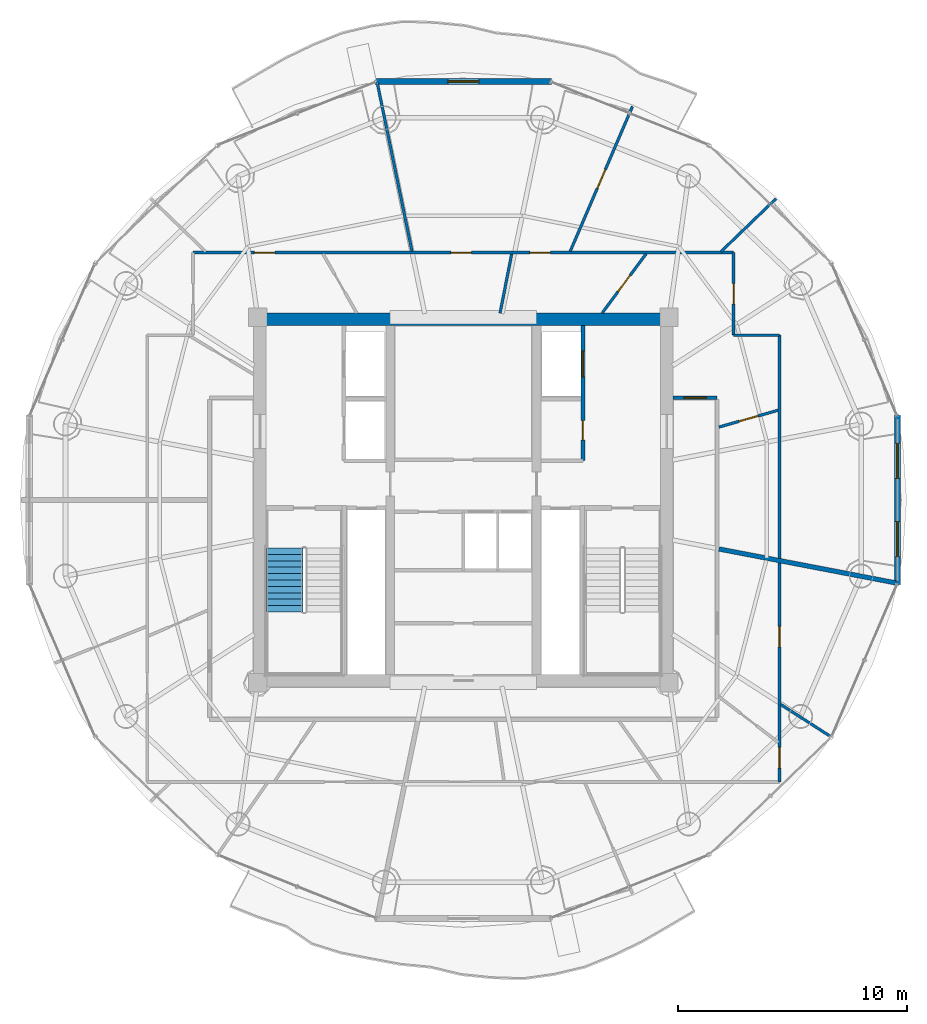
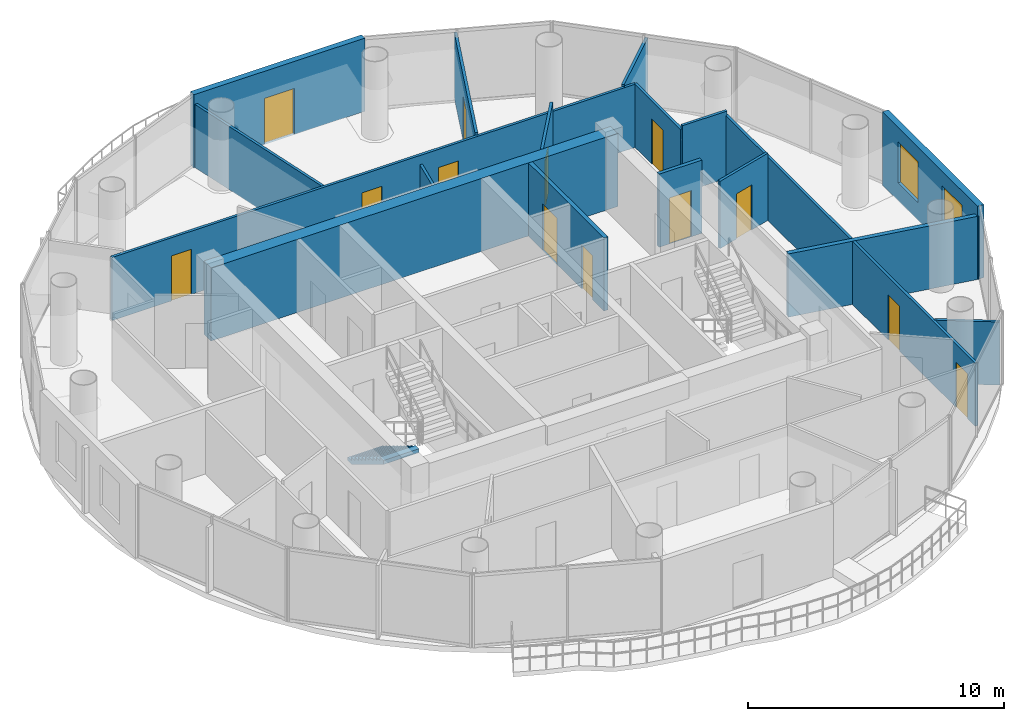
# One storey, part 19 of 23: 18 walls, 13 doors, 2 windows, 1 stair flight, 15 openings, 1 element without a shape of its own.
"""IFC4 building model written with IfcOpenShell, lengths in metres."""

from ifc_helpers import new_model, si_unit, direction, frame, frame_2d, origin, place, context, subcontext, project, spatial, polyline, rectangle, outline, extrude, source, transform, mapped, material, layer, layer_set, type_object, element, fill, aggregate, save


model = new_model("IFC4")

# Units and contexts
model_context = context("Model", 3, precision=1e-05, world=origin(), true_north=direction((-0.2419218956, 0.970295726276)))
body_context = subcontext(model_context, "Body", "Model", "MODEL_VIEW")
ifc_project = project(units=[si_unit("LENGTHUNIT", "METRE"), si_unit("AREAUNIT", "SQUARE_METRE"), si_unit("VOLUMEUNIT", "CUBIC_METRE"), si_unit("PLANEANGLEUNIT", "RADIAN"), si_unit("MASSUNIT", "GRAM", prefix="KILO")], contexts=[model_context])

# Site, building, storey
site_placement = place(None, origin())
site = spatial("IfcSite", under=ifc_project, at=site_placement, CompositionType="ELEMENT")
building_placement = place(site_placement, origin())
building = spatial("IfcBuilding", under=site, at=building_placement, Name="Cobrevalo Terracotta Tower", CompositionType="ELEMENT")
storey_placement = place(building_placement, frame((0.0, 0.0, 259.449951171875)))
storey = spatial("IfcBuildingStorey", under=building, at=storey_placement, Name="L68", CompositionType="ELEMENT", Elevation=259.449951171875)

# Wall
ifc_material_1 = material(Name="Concrete C50", Category="concrete")
ifc_layer_1 = layer(ifc_material_1, 0.550048828125)
ifc_layer_set_1 = layer_set([ifc_layer_1], Name="Concrete C50")
wall_type_1 = type_object("IfcWallType", Name="Core shear wall 550 mm Concrete C50", PredefinedType="SHEAR", material=ifc_layer_set_1)
wall_1_placement = place(storey_placement, frame((28.824951171875, 34.699951171875, 0.0), z_axis=(0.0, 0.0, 1.0), x_axis=(1.0, 0.0, 0.0)))
element("IfcWall", 1, at=wall_1_placement, inside=storey, type_object=wall_type_1, Name="L68 north core shear wall", PredefinedType="SHEAR", context=body_context, shape_type="SweptSolid", body=[
    extrude(rectangle(XDim=18.35009765625, YDim=0.550048828125, at=frame_2d((9.175048828125, 0.0))), origin(), (0.0, 0.0, 1.0), 3.489990234375),
])

# Wall, opening, door
ifc_material_2 = material(Name="Gypsum board on steel stud", Category="steel")
ifc_layer_2 = layer(ifc_material_2, 0.159912109375)
ifc_layer_set_2 = layer_set([ifc_layer_2], Name="Gypsum board on steel stud")
wall_type_2 = type_object("IfcWallType", Name="Fire-rated corridor acoustic partition wall 160 mm", PredefinedType="PARTITIONING", material=ifc_layer_set_2)
wall_2_placement = place(storey_placement, frame((47.175048828125, 31.280029296875, 0.0), z_axis=(0.0, 0.0, 1.0), x_axis=(1.0, 0.0, 0.0)))
wall_2 = element("IfcWall", 2, at=wall_2_placement, inside=storey, type_object=wall_type_2, Name="L68 interior partition IW-L68-COR-EN-CAP", PredefinedType="PARTITIONING", context=body_context, shape_type="SweptSolid", body=[
    extrude(rectangle(XDim=1.929931640625, YDim=0.159912109375, at=frame_2d((0.96484375, 0.0))), origin(), (0.0, 0.0, 1.0), 3.489990234375),
])
opening_1_placement = place(wall_2_placement, frame((0.47509765625, 0.0, 0.0)))
opening_1 = element("IfcOpeningElement", 3, at=opening_1_placement, cuts=wall_2, Name="Opening ID-05", PredefinedType="OPENING", context=body_context, shape_type="SweptSolid", body=[
    extrude(rectangle(XDim=0.97998046875, YDim=2.199951171875, at=frame_2d((0.489990234375, 1.10009765625))), frame((0.0, 0.08984375, 0.0), z_axis=(0.0, -1.0, 0.0), x_axis=(1.0, 0.0, 0.0)), (0.0, 0.0, 1.0), 0.179931640625),
])
ifc_material_3 = material(Name="Solid hardwood timber", Category="wood")
door_type_1 = type_object("IfcDoorType", Name="Residence entrance fire-rated acoustic timber door 980x2200 EI 60", OperationType="NOTDEFINED", PredefinedType="DOOR", material=ifc_material_3)
shared_shape_1 = source(origin(), body_context, "Body", "SweptSolid", [
    extrude(rectangle(XDim=0.97998046875, YDim=2.199951171875, at=frame_2d((0.489990234375, 1.10009765625))), frame((0.0, 0.02490234375, 0.0), z_axis=(0.0, -1.0, 0.0), x_axis=(1.0, 0.0, 0.0)), (0.0, 0.0, 1.0), 0.050048828125),
])
door_1_placement = place(opening_1_placement, origin())
door_1 = element("IfcDoor", 4, at=door_1_placement, inside=storey, type_object=door_type_1, Name="Flat L68A fire-rated apartment entrance door", OperationType="SINGLE_SWING_LEFT", OverallHeight=2.199951171875, OverallWidth=0.97998046875, PredefinedType="DOOR", context=body_context, shape_type="MappedRepresentation", body=[
    mapped(shared_shape_1, transform((0.0, 0.0, 0.0), scale=1.0)),
])
fill(opening_1, door_1)

# Wall, openings, doors
ifc_layer_3 = layer(ifc_material_2, 0.179931640625)
ifc_layer_set_3 = layer_set([ifc_layer_3], Name="Gypsum board on steel stud")
wall_type_3 = type_object("IfcWallType", Name="Fire-rated shaft & lobby acoustic partition wall 180 mm", PredefinedType="PARTITIONING", material=ifc_layer_set_3)
wall_3_placement = place(storey_placement, frame((43.22998046875, 28.52001953125, 0.0), z_axis=(0.0, 0.0, 1.0), x_axis=(0.0, 1.0, 0.0)))
wall_3 = element("IfcWall", 5, at=wall_3_placement, inside=storey, type_object=wall_type_3, Name="L68 interior partition IW-L68-FF2-E", PredefinedType="PARTITIONING", context=body_context, shape_type="SweptSolid", body=[
    extrude(rectangle(XDim=5.905029296875, YDim=0.179931640625, at=frame_2d((2.95263671875, 0.0))), origin(), (0.0, 0.0, 1.0), 3.489990234375),
])
opening_2_placement = place(wall_3_placement, frame((0.905029296875, 0.0, 0.0)))
opening_2 = element("IfcOpeningElement", 6, at=opening_2_placement, cuts=wall_3, Name="Opening ID-22", PredefinedType="OPENING", context=body_context, shape_type="SweptSolid", body=[
    extrude(rectangle(XDim=0.85009765625, YDim=2.10009765625, at=frame_2d((0.425048828125, 1.050048828125))), frame((0.0, 0.10009765625, 0.0), z_axis=(0.0, -1.0, 0.0), x_axis=(1.0, 0.0, 0.0)), (0.0, 0.0, 1.0), 0.199951171875),
])
opening_3_placement = place(wall_3_placement, frame((3.655029296875, 0.0, 0.0)))
opening_3 = element("IfcOpeningElement", 7, at=opening_3_placement, cuts=wall_3, Name="Opening LD-02", PredefinedType="OPENING", context=body_context, shape_type="SweptSolid", body=[
    extrude(rectangle(XDim=1.14990234375, YDim=2.199951171875, at=frame_2d((0.574951171875, 1.10009765625))), frame((0.0, 0.10009765625, 0.0), z_axis=(0.0, -1.0, 0.0), x_axis=(1.0, 0.0, 0.0)), (0.0, 0.0, 1.0), 0.199951171875),
])
ifc_material_4 = material(Name="Powder-coated steel", Category="steel")
door_type_2 = type_object("IfcDoorType", Name="Riser shaft & meter closet fire access door 850x2100 EI 60", OperationType="NOTDEFINED", PredefinedType="DOOR", material=ifc_material_4)
shared_shape_2 = source(origin(), body_context, "Body", "SweptSolid", [
    extrude(rectangle(XDim=0.85009765625, YDim=2.10009765625, at=frame_2d((0.425048828125, 1.050048828125))), frame((0.0, 0.02490234375, 0.0), z_axis=(0.0, -1.0, 0.0), x_axis=(1.0, 0.0, 0.0)), (0.0, 0.0, 1.0), 0.050048828125),
])
door_2_placement = place(opening_2_placement, frame((0.85009765625, 0.0, 0.0), z_axis=(0.0, 0.0, 1.0), x_axis=(-1.0, 0.0, 0.0)))
door_2 = element("IfcDoor", 8, at=door_2_placement, inside=storey, type_object=door_type_2, Name="L68 housekeeping store door", OperationType="SINGLE_SWING_RIGHT", OverallHeight=2.10009765625, OverallWidth=0.85009765625, PredefinedType="DOOR", context=body_context, shape_type="MappedRepresentation", body=[
    mapped(shared_shape_2, transform((0.0, 0.0, 0.0), scale=1.0)),
])
fill(opening_2, door_2)
ifc_material_5 = material(Name="Brushed stainless steel", Category="steel")
door_type_3 = type_object("IfcDoorType", Name="Firefighting lift landing bi-parting sliding door 1150x2200 EI 120", OperationType="DOUBLE_DOOR_SLIDING", PredefinedType="DOOR", material=ifc_material_5)
shared_shape_3 = source(origin(), body_context, "Body", "SweptSolid", [
    extrude(rectangle(XDim=1.14990234375, YDim=2.199951171875, at=frame_2d((0.574951171875, 1.10009765625))), frame((0.0, 0.02490234375, 0.0), z_axis=(0.0, -1.0, 0.0), x_axis=(1.0, 0.0, 0.0)), (0.0, 0.0, 1.0), 0.050048828125),
])
door_3_placement = place(opening_3_placement, origin())
door_3 = element("IfcDoor", 9, at=door_3_placement, inside=storey, type_object=door_type_3, Name="L68 lift landing door FF-2", OperationType="DOUBLE_DOOR_SLIDING", OverallHeight=2.199951171875, OverallWidth=1.14990234375, PredefinedType="DOOR", context=body_context, shape_type="MappedRepresentation", body=[
    mapped(shared_shape_3, transform((0.0, 0.0, 0.0), scale=1.0)),
])
fill(opening_3, door_3)

# Wall
ifc_material_6 = material(Name="Autoclaved aerated concrete block", Category="concrete")
ifc_layer_4 = layer(ifc_material_6, 0.199951171875)
ifc_layer_set_4 = layer_set([ifc_layer_4], Name="Autoclaved aerated concrete block")
wall_type_4 = type_object("IfcWallType", Name="Fire-rated stair, shaft & demising masonry wall 200 mm", PredefinedType="PARTITIONING", material=ifc_layer_set_4)
wall_4_placement = place(storey_placement, frame((49.18505859375, 24.655517578125, 0.0), z_axis=(0.0, 0.0, 1.0), x_axis=(0.982109889803, -0.188308694305, 0.0)))
element("IfcWall", 10, at=wall_4_placement, inside=storey, type_object=wall_type_4, Name="L68 interior partition IW-L68-DEM-1", PredefinedType="PARTITIONING", context=body_context, shape_type="SweptSolid", body=[
    extrude(rectangle(XDim=7.884033203125, YDim=0.199951171875, at=frame_2d((3.94189453125, 0.0))), origin(), (0.0, 0.0, 1.0), 3.01513671875),
])

# Wall, openings, windows
ifc_layer_5 = layer(ifc_material_6, 0.280029296875)
ifc_layer_set_5 = layer_set([ifc_layer_5], Name="Autoclaved aerated concrete block")
wall_type_5 = type_object("IfcWallType", Name="Insulated tower spandrel & pier wall 280 mm with terracotta rainscreen", PredefinedType="SOLIDWALL", material=ifc_layer_set_5)
wall_5_placement = place(storey_placement, frame((56.997802734375, 23.07763671875, 0.0), z_axis=(0.0, 0.0, 1.0), x_axis=(0.0, 1.0, 0.0)))
wall_5 = element("IfcWall", 11, at=wall_5_placement, inside=storey, type_object=wall_type_5, Name="L68 terracotta rainscreen pier wall S16", PredefinedType="SOLIDWALL", context=body_context, shape_type="SweptSolid", body=[
    extrude(rectangle(XDim=7.444580078125, YDim=0.280029296875, at=frame_2d((3.72216796875, 0.0))), origin(), (0.0, 0.0, 1.0), 3.489990234375),
])
opening_4_placement = place(wall_5_placement, frame((1.235107421875, 0.0, 0.85009765625)))
opening_4 = element("IfcOpeningElement", 12, at=opening_4_placement, cuts=wall_5, Name="Opening WN-12", PredefinedType="OPENING", context=body_context, shape_type="SweptSolid", body=[
    extrude(rectangle(XDim=1.550048828125, YDim=1.949951171875, at=frame_2d((0.77490234375, 0.97509765625))), frame((0.0, 0.14990234375, 0.0), z_axis=(0.0, -1.0, 0.0), x_axis=(1.0, 0.0, 0.0)), (0.0, 0.0, 1.0), 0.300048828125),
])
opening_5_placement = place(wall_5_placement, frame((4.65966796875, 0.0, 0.85009765625)))
opening_5 = element("IfcOpeningElement", 13, at=opening_5_placement, cuts=wall_5, Name="Opening WN-12", PredefinedType="OPENING", context=body_context, shape_type="SweptSolid", body=[
    extrude(rectangle(XDim=1.550048828125, YDim=1.949951171875, at=frame_2d((0.77490234375, 0.97509765625))), frame((0.0, 0.14990234375, 0.0), z_axis=(0.0, -1.0, 0.0), x_axis=(1.0, 0.0, 0.0)), (0.0, 0.0, 1.0), 0.300048828125),
])
ifc_material_7 = material(Name="Solar-control low-E double glazing", Category="glass")
window_type = type_object("IfcWindowType", Name="Solar-control low-E aluminium window 1550x1950", PartitioningType="SINGLE_PANEL", PredefinedType="WINDOW", material=ifc_material_7)
shared_shape_4 = source(origin(), body_context, "Body", "SweptSolid", [
    extrude(rectangle(XDim=1.550048828125, YDim=1.949951171875, at=frame_2d((0.77490234375, 0.97509765625))), frame((0.0, 0.030029296875, 0.0), z_axis=(0.0, -1.0, 0.0), x_axis=(1.0, 0.0, 0.0)), (0.0, 0.0, 1.0), 0.06005859375),
])
window_1_placement = place(opening_4_placement, origin())
window_1 = element("IfcWindow", 14, at=window_1_placement, inside=storey, type_object=window_type, Name="L68 suite window S16A", OverallHeight=1.949951171875, OverallWidth=1.550048828125, PartitioningType="SINGLE_PANEL", PredefinedType="WINDOW", context=body_context, shape_type="MappedRepresentation", body=[
    mapped(shared_shape_4, transform((0.0, 0.0, 0.0), scale=1.0)),
])
fill(opening_4, window_1)
window_2_placement = place(opening_5_placement, origin())
window_2 = element("IfcWindow", 15, at=window_2_placement, inside=storey, type_object=window_type, Name="L68 suite window S16B", OverallHeight=1.949951171875, OverallWidth=1.550048828125, PartitioningType="SINGLE_PANEL", PredefinedType="WINDOW", context=body_context, shape_type="MappedRepresentation", body=[
    mapped(shared_shape_4, transform((0.0, 0.0, 0.0), scale=1.0)),
])
fill(opening_5, window_2)

# Wall, opening, door
ifc_layer_6 = layer(ifc_material_6, 0.260009765625)
ifc_layer_set_6 = layer_set([ifc_layer_6], Name="Autoclaved aerated concrete block")
wall_type_6 = type_object("IfcWallType", Name="Recessed balcony loggia insulated exterior wall 260 mm", PredefinedType="SOLIDWALL", material=ifc_layer_set_6)
wall_6_placement = place(storey_placement, frame((41.85888671875, 45.111328125, 0.0), z_axis=(0.0, 0.0, 1.0), x_axis=(-1.0, 0.0, 0.0)))
wall_6 = element("IfcWall", 16, at=wall_6_placement, inside=storey, type_object=wall_type_6, Name="L68 balcony loggia wall S04", PredefinedType="SOLIDWALL", context=body_context, shape_type="SweptSolid", body=[
    extrude(rectangle(XDim=7.7177734375, YDim=0.260009765625, at=frame_2d((3.85888671875, 0.0))), origin(), (0.0, 0.0, 1.0), 3.489990234375),
])
opening_6_placement = place(wall_6_placement, frame((3.183837890625, 0.0, 0.0)))
opening_6 = element("IfcOpeningElement", 17, at=opening_6_placement, cuts=wall_6, Name="Opening ED-05", PredefinedType="OPENING", context=body_context, shape_type="SweptSolid", body=[
    extrude(rectangle(XDim=1.35009765625, YDim=2.199951171875, at=frame_2d((0.675048828125, 1.10009765625))), frame((0.0, 0.14013671875, 0.0), z_axis=(0.0, -1.0, 0.0), x_axis=(1.0, 0.0, 0.0)), (0.0, 0.0, 1.0), 0.280029296875),
])
ifc_material_8 = material(Name="Anodized aluminium and laminated glass", Category="aluminium")
door_type_4 = type_object("IfcDoorType", Name="Suite balcony acoustic glazed terrace door 1350x2200", OperationType="NOTDEFINED", PredefinedType="DOOR", material=ifc_material_8)
shared_shape_5 = source(origin(), body_context, "Body", "SweptSolid", [
    extrude(rectangle(XDim=1.35009765625, YDim=2.199951171875, at=frame_2d((0.675048828125, 1.10009765625))), frame((0.0, 0.02490234375, 0.0), z_axis=(0.0, -1.0, 0.0), x_axis=(1.0, 0.0, 0.0)), (0.0, 0.0, 1.0), 0.050048828125),
])
door_4_placement = place(opening_6_placement, frame((1.35009765625, 0.0, 0.0), z_axis=(0.0, 0.0, 1.0), x_axis=(-1.0, 0.0, 0.0)))
door_4 = element("IfcDoor", 18, at=door_4_placement, inside=storey, type_object=door_type_4, Name="L68 glazed balcony terrace door 1", OperationType="SINGLE_SWING_LEFT", OverallHeight=2.199951171875, OverallWidth=1.35009765625, PredefinedType="DOOR", context=body_context, shape_type="MappedRepresentation", body=[
    mapped(shared_shape_5, transform((0.0, 0.0, 0.0), scale=1.0)),
])
fill(opening_6, door_4)

# Wall, openings, doors
ifc_layer_7 = layer(ifc_material_2, 0.1201171875)
ifc_layer_set_7 = layer_set([ifc_layer_7], Name="Gypsum board on steel stud")
wall_type_7 = type_object("IfcWallType", Name="Residential internal acoustic stud partition 120 mm", PredefinedType="PARTITIONING", material=ifc_layer_set_7)
wall_7_placement = place(storey_placement, frame((26.175048828125, 37.625, 0.0), z_axis=(0.0, 0.0, 1.0), x_axis=(1.0, 0.0, 0.0)))
wall_7 = element("IfcWall", 19, at=wall_7_placement, inside=storey, type_object=wall_type_7, Name="L68 interior partition IW-L68-U1-RING3_0", PredefinedType="PARTITIONING", context=body_context, shape_type="SweptSolid", body=[
    extrude(rectangle(XDim=23.64990234375, YDim=0.1201171875, at=frame_2d((11.824951171875, 0.0))), origin(), (0.0, 0.0, 1.0), 3.01513671875),
])
opening_7_placement = place(wall_7_placement, frame((14.732666015625, 0.0, 0.0)))
opening_7 = element("IfcOpeningElement", 20, at=opening_7_placement, cuts=wall_7, Name="Opening ID-12", PredefinedType="OPENING", context=body_context, shape_type="SweptSolid", body=[
    extrude(rectangle(XDim=0.89990234375, YDim=2.14990234375, at=frame_2d((0.449951171875, 1.074951171875))), frame((0.0, 0.070068359375, 0.0), z_axis=(0.0, -1.0, 0.0), x_axis=(1.0, 0.0, 0.0)), (0.0, 0.0, 1.0), 0.14013671875),
])
opening_8_placement = place(wall_7_placement, frame((11.279052734375, 0.0, 0.0)))
opening_8 = element("IfcOpeningElement", 21, at=opening_8_placement, cuts=wall_7, Name="Opening ID-12", PredefinedType="OPENING", context=body_context, shape_type="SweptSolid", body=[
    extrude(rectangle(XDim=0.89990234375, YDim=2.14990234375, at=frame_2d((0.449951171875, 1.074951171875))), frame((0.0, 0.070068359375, 0.0), z_axis=(0.0, -1.0, 0.0), x_axis=(1.0, 0.0, 0.0)), (0.0, 0.0, 1.0), 0.14013671875),
])
opening_9_placement = place(wall_7_placement, frame((2.67822265625, 0.0, 0.0)))
opening_9 = element("IfcOpeningElement", 22, at=opening_9_placement, cuts=wall_7, Name="Opening ID-12", PredefinedType="OPENING", context=body_context, shape_type="SweptSolid", body=[
    extrude(rectangle(XDim=0.89990234375, YDim=2.14990234375, at=frame_2d((0.449951171875, 1.074951171875))), frame((0.0, 0.070068359375, 0.0), z_axis=(0.0, -1.0, 0.0), x_axis=(1.0, 0.0, 0.0)), (0.0, 0.0, 1.0), 0.14013671875),
])
ifc_material_9 = material(Name="Engineered timber", Category="wood")
door_type_5 = type_object("IfcDoorType", Name="Internal residence & suite timber door 900x2150", OperationType="NOTDEFINED", PredefinedType="DOOR", material=ifc_material_9)
shared_shape_6 = source(origin(), body_context, "Body", "SweptSolid", [
    extrude(rectangle(XDim=0.89990234375, YDim=2.14990234375, at=frame_2d((0.449951171875, 1.074951171875))), frame((0.0, 0.02490234375, 0.0), z_axis=(0.0, -1.0, 0.0), x_axis=(1.0, 0.0, 0.0)), (0.0, 0.0, 1.0), 0.050048828125),
])
door_5_placement = place(opening_7_placement, origin())
door_5 = element("IfcDoor", 23, at=door_5_placement, inside=storey, type_object=door_type_5, Name="Flat L68A Penthouse Family Lounge internal door", OperationType="SINGLE_SWING_LEFT", OverallHeight=2.14990234375, OverallWidth=0.89990234375, PredefinedType="DOOR", context=body_context, shape_type="MappedRepresentation", body=[
    mapped(shared_shape_6, transform((0.0, 0.0, 0.0), scale=1.0)),
])
fill(opening_7, door_5)
door_6_placement = place(opening_8_placement, frame((0.89990234375, 0.0, 0.0), z_axis=(0.0, 0.0, 1.0), x_axis=(-1.0, 0.0, 0.0)))
door_6 = element("IfcDoor", 24, at=door_6_placement, inside=storey, type_object=door_type_5, Name="Flat L68A Private Library Meeting Room internal door", OperationType="SINGLE_SWING_RIGHT", OverallHeight=2.14990234375, OverallWidth=0.89990234375, PredefinedType="DOOR", context=body_context, shape_type="MappedRepresentation", body=[
    mapped(shared_shape_6, transform((0.0, 0.0, 0.0), scale=1.0)),
])
fill(opening_8, door_6)
door_7_placement = place(opening_9_placement, origin())
door_7 = element("IfcDoor", 25, at=door_7_placement, inside=storey, type_object=door_type_5, Name="Flat L68A Principal Guest Bedroom internal door", OperationType="SINGLE_SWING_RIGHT", OverallHeight=2.14990234375, OverallWidth=0.89990234375, PredefinedType="DOOR", context=body_context, shape_type="MappedRepresentation", body=[
    mapped(shared_shape_6, transform((0.0, 0.0, 0.0), scale=1.0)),
])
fill(opening_9, door_7)

# Wall, opening, door
wall_8_placement = place(storey_placement, frame((49.824951171875, 37.625, 0.0), z_axis=(0.0, 0.0, 1.0), x_axis=(0.0, -1.0, 0.0)))
wall_8 = element("IfcWall", 26, at=wall_8_placement, inside=storey, type_object=wall_type_7, Name="L68 interior partition IW-L68-U1-RING4_0", PredefinedType="PARTITIONING", context=body_context, shape_type="SweptSolid", body=[
    extrude(rectangle(XDim=3.614990234375, YDim=0.1201171875, at=frame_2d((1.8076171875, 0.0))), origin(), (0.0, 0.0, 1.0), 3.01513671875),
])
opening_10_placement = place(wall_8_placement, frame((1.357421875, 0.0, 0.0)))
opening_10 = element("IfcOpeningElement", 27, at=opening_10_placement, cuts=wall_8, Name="Opening ID-12", PredefinedType="OPENING", context=body_context, shape_type="SweptSolid", body=[
    extrude(rectangle(XDim=0.89990234375, YDim=2.14990234375, at=frame_2d((0.449951171875, 1.074951171875))), frame((0.0, 0.070068359375, 0.0), z_axis=(0.0, -1.0, 0.0), x_axis=(1.0, 0.0, 0.0)), (0.0, 0.0, 1.0), 0.14013671875),
])
door_8_placement = place(opening_10_placement, origin())
door_8 = element("IfcDoor", 28, at=door_8_placement, inside=storey, type_object=door_type_5, Name="Flat L68A Living and Dining Room internal door", OperationType="SINGLE_SWING_LEFT", OverallHeight=2.14990234375, OverallWidth=0.89990234375, PredefinedType="DOOR", context=body_context, shape_type="MappedRepresentation", body=[
    mapped(shared_shape_6, transform((0.0, 0.0, 0.0), scale=1.0)),
])
fill(opening_10, door_8)

# Walls
wall_9_placement = place(storey_placement, frame((49.824951171875, 34.010009765625, 0.0), z_axis=(0.0, 0.0, 1.0), x_axis=(1.0, 0.0, 0.0)))
element("IfcWall", 29, at=wall_9_placement, inside=storey, type_object=wall_type_7, Name="L68 interior partition IW-L68-U1-RING5_0", PredefinedType="PARTITIONING", context=body_context, shape_type="SweptSolid", body=[
    extrude(rectangle(XDim=2.010009765625, YDim=0.1201171875, at=frame_2d((1.0048828125, 0.0))), origin(), (0.0, 0.0, 1.0), 3.208984375),
])
wall_10_placement = place(storey_placement, frame((51.8349609375, 34.010009765625, 0.0), z_axis=(0.0, 0.0, 1.0), x_axis=(0.0, -1.0, 0.0)))
element("IfcWall", 30, at=wall_10_placement, inside=storey, type_object=wall_type_7, Name="L68 interior partition IW-L68-U1-RING6_0", PredefinedType="PARTITIONING", context=body_context, shape_type="SweptSolid", body=[
    extrude(rectangle(XDim=9.7607421875, YDim=0.1201171875, at=frame_2d((4.88037109375, 0.0))), origin(), (0.0, 0.0, 1.0), 3.01513671875),
])
wall_11_placement = place(storey_placement, frame((49.27490234375, 37.66796875, 0.0), z_axis=(0.0, 0.0, 1.0), x_axis=(0.719954096891, 0.694021684366, 0.0)))
element("IfcWall", 31, at=wall_11_placement, inside=storey, type_object=wall_type_7, Name="L68 interior partition IW-L68-U1-ORAD1", PredefinedType="PARTITIONING", context=body_context, shape_type="SweptSolid", body=[
    extrude(rectangle(XDim=3.332763671875, YDim=0.1201171875, at=frame_2d((1.66650390625, 0.0))), origin(), (0.0, 0.0, 1.0), 3.12109375),
])

# Wall, opening, door
wall_12_placement = place(storey_placement, frame((42.67626953125, 37.681884765625, 0.0), z_axis=(0.0, 0.0, 1.0), x_axis=(0.394777489933, 0.918776759307, 0.0)))
wall_12 = element("IfcWall", 32, at=wall_12_placement, inside=storey, type_object=wall_type_7, Name="L68 interior partition IW-L68-U1-ORAD2M1", PredefinedType="PARTITIONING", context=body_context, shape_type="SweptSolid", body=[
    extrude(rectangle(XDim=6.899658203125, YDim=0.1201171875, at=frame_2d((3.44970703125, 0.0))), origin(), (0.0, 0.0, 1.0), 3.12109375),
])
opening_11_placement = place(wall_12_placement, frame((3.0, 0.0, 0.0)))
opening_11 = element("IfcOpeningElement", 33, at=opening_11_placement, cuts=wall_12, Name="Opening ID-12", PredefinedType="OPENING", context=body_context, shape_type="SweptSolid", body=[
    extrude(rectangle(XDim=0.89990234375, YDim=2.14990234375, at=frame_2d((0.449951171875, 1.074951171875))), frame((0.0, 0.070068359375, 0.0), z_axis=(0.0, -1.0, 0.0), x_axis=(1.0, 0.0, 0.0)), (0.0, 0.0, 1.0), 0.14013671875),
])
door_9_placement = place(opening_11_placement, frame((0.89990234375, 0.0, 0.0), z_axis=(0.0, 0.0, 1.0), x_axis=(-1.0, 0.0, 0.0)))
door_9 = element("IfcDoor", 34, at=door_9_placement, inside=storey, type_object=door_type_5, Name="Flat L68A Master Bedroom internal door", OperationType="SINGLE_SWING_LEFT", OverallHeight=2.14990234375, OverallWidth=0.89990234375, PredefinedType="DOOR", context=body_context, shape_type="MappedRepresentation", body=[
    mapped(shared_shape_6, transform((0.0, 0.0, 0.0), scale=1.0)),
])
fill(opening_11, door_9)

# Wall
wall_13_placement = place(storey_placement, frame((35.753662109375, 37.685791015625, 0.0), z_axis=(0.0, 0.0, 1.0), x_axis=(-0.202105877204, 0.979363678313, 0.0)))
element("IfcWall", 35, at=wall_13_placement, inside=storey, type_object=wall_type_7, Name="L68 interior partition IW-L68-U1-ORAD2", PredefinedType="PARTITIONING", context=body_context, shape_type="SweptSolid", body=[
    extrude(rectangle(XDim=7.512451171875, YDim=0.1201171875, at=frame_2d((3.75634765625, 0.0))), origin(), (0.0, 0.0, 1.0), 3.01513671875),
])

# Wall, opening, door
wall_14_placement = place(storey_placement, frame((49.18505859375, 29.98974609375, 0.0), z_axis=(0.0, 0.0, 1.0), x_axis=(0.961653809431, 0.274266204273, 0.0)))
wall_14 = element("IfcWall", 36, at=wall_14_placement, inside=storey, type_object=wall_type_7, Name="L68 interior partition IW-L68-U1-IRAD1", PredefinedType="PARTITIONING", context=body_context, shape_type="SweptSolid", body=[
    extrude(rectangle(XDim=2.693603515625, YDim=0.1201171875, at=frame_2d((1.3466796875, 0.0))), origin(), (0.0, 0.0, 1.0), 3.208984375),
])
opening_12_placement = place(wall_14_placement, frame((0.916748046875, 0.0, 0.0)))
opening_12 = element("IfcOpeningElement", 37, at=opening_12_placement, cuts=wall_14, Name="Opening ID-19", PredefinedType="OPENING", context=body_context, shape_type="SweptSolid", body=[
    extrude(rectangle(XDim=0.860107421875, YDim=2.14990234375, at=frame_2d((0.43017578125, 1.074951171875))), frame((0.0, 0.070068359375, 0.0), z_axis=(0.0, -1.0, 0.0), x_axis=(1.0, 0.0, 0.0)), (0.0, 0.0, 1.0), 0.14013671875),
])
ifc_material_10 = material(Name="Moisture-sealed timber", Category="wood")
door_type_6 = type_object("IfcDoorType", Name="Suite bathroom internal timber door 860x2150", OperationType="NOTDEFINED", PredefinedType="DOOR", material=ifc_material_10)
shared_shape_7 = source(origin(), body_context, "Body", "SweptSolid", [
    extrude(rectangle(XDim=0.860107421875, YDim=2.14990234375, at=frame_2d((0.43017578125, 1.074951171875))), frame((0.0, 0.02490234375, 0.0), z_axis=(0.0, -1.0, 0.0), x_axis=(1.0, 0.0, 0.0)), (0.0, 0.0, 1.0), 0.050048828125),
])
door_10_placement = place(opening_12_placement, frame((0.860107421875, 0.0, 0.0), z_axis=(0.0, 0.0, 1.0), x_axis=(-1.0, 0.0, 0.0)))
door_10 = element("IfcDoor", 38, at=door_10_placement, inside=storey, type_object=door_type_6, Name="Flat L68A Primary Bathroom internal door", OperationType="SINGLE_SWING_RIGHT", OverallHeight=2.14990234375, OverallWidth=0.860107421875, PredefinedType="DOOR", context=body_context, shape_type="MappedRepresentation", body=[
    mapped(shared_shape_7, transform((0.0, 0.0, 0.0), scale=1.0)),
])
fill(opening_12, door_10)

wall_15_placement = place(storey_placement, frame((44.0703125, 34.9765625, 0.0), z_axis=(0.0, 0.0, 1.0), x_axis=(0.596033679783, 0.802959433947, 0.0)))
wall_15 = element("IfcWall", 39, at=wall_15_placement, inside=storey, type_object=wall_type_7, Name="L68 interior partition IW-L68-U1-IRAD2", PredefinedType="PARTITIONING", context=body_context, shape_type="SweptSolid", body=[
    extrude(rectangle(XDim=3.236328125, YDim=0.1201171875, at=frame_2d((1.6181640625, 0.0))), origin(), (0.0, 0.0, 1.0), 3.489990234375),
])
opening_13_placement = place(wall_15_placement, frame((1.168212890625, 0.0, 0.0)))
opening_13 = element("IfcOpeningElement", 40, at=opening_13_placement, cuts=wall_15, Name="Opening ID-12", PredefinedType="OPENING", context=body_context, shape_type="SweptSolid", body=[
    extrude(rectangle(XDim=0.89990234375, YDim=2.14990234375, at=frame_2d((0.449951171875, 1.074951171875))), frame((0.0, 0.070068359375, 0.0), z_axis=(0.0, -1.0, 0.0), x_axis=(1.0, 0.0, 0.0)), (0.0, 0.0, 1.0), 0.14013671875),
])
door_11_placement = place(opening_13_placement, origin())
door_11 = element("IfcDoor", 41, at=door_11_placement, inside=storey, type_object=door_type_5, Name="Flat L68A Kitchen internal door", OperationType="SINGLE_SWING_RIGHT", OverallHeight=2.14990234375, OverallWidth=0.89990234375, PredefinedType="DOOR", context=body_context, shape_type="MappedRepresentation", body=[
    mapped(shared_shape_6, transform((0.0, 0.0, 0.0), scale=1.0)),
])
fill(opening_13, door_11)

# Wall
wall_16_placement = place(storey_placement, frame((39.606689453125, 34.97705078125, 0.0), z_axis=(0.0, 0.0, 1.0), x_axis=(0.192785105701, 0.981241001497, 0.0)))
element("IfcWall", 42, at=wall_16_placement, inside=storey, type_object=wall_type_7, Name="L68 interior partition IW-L68-U1-IRAD3", PredefinedType="PARTITIONING", context=body_context, shape_type="SweptSolid", body=[
    extrude(rectangle(XDim=2.63671875, YDim=0.1201171875, at=frame_2d((1.318359375, 0.0))), origin(), (0.0, 0.0, 1.0), 2.574951171875),
])

# Wall, openings, doors
wall_17_placement = place(storey_placement, frame((51.8349609375, 24.04541015625, 0.0), z_axis=(0.0, 0.0, 1.0), x_axis=(0.0, -1.0, 0.0)))
wall_17 = element("IfcWall", 43, at=wall_17_placement, inside=storey, type_object=wall_type_7, Name="L68 interior partition IW-L68-U3-RING0_0", PredefinedType="PARTITIONING", context=body_context, shape_type="SweptSolid", body=[
    extrude(rectangle(XDim=9.580322265625, YDim=0.1201171875, at=frame_2d((4.7900390625, 0.0))), origin(), (0.0, 0.0, 1.0), 3.01513671875),
])
opening_14_placement = place(wall_17_placement, frame((2.770751953125, 0.0, 0.0)))
opening_14 = element("IfcOpeningElement", 44, at=opening_14_placement, cuts=wall_17, Name="Opening ID-12", PredefinedType="OPENING", context=body_context, shape_type="SweptSolid", body=[
    extrude(rectangle(XDim=0.89990234375, YDim=2.14990234375, at=frame_2d((0.449951171875, 1.074951171875))), frame((0.0, 0.070068359375, 0.0), z_axis=(0.0, -1.0, 0.0), x_axis=(1.0, 0.0, 0.0)), (0.0, 0.0, 1.0), 0.14013671875),
])
opening_15_placement = place(wall_17_placement, frame((8.072998046875, 0.0, 0.0)))
opening_15 = element("IfcOpeningElement", 45, at=opening_15_placement, cuts=wall_17, Name="Opening ID-12", PredefinedType="OPENING", context=body_context, shape_type="SweptSolid", body=[
    extrude(rectangle(XDim=0.89990234375, YDim=2.14990234375, at=frame_2d((0.449951171875, 1.074951171875))), frame((0.0, 0.070068359375, 0.0), z_axis=(0.0, -1.0, 0.0), x_axis=(1.0, 0.0, 0.0)), (0.0, 0.0, 1.0), 0.14013671875),
])
door_12_placement = place(opening_14_placement, origin())
door_12 = element("IfcDoor", 46, at=door_12_placement, inside=storey, type_object=door_type_5, Name="Flat L68C Principal Guest Bedroom internal door", OperationType="SINGLE_SWING_RIGHT", OverallHeight=2.14990234375, OverallWidth=0.89990234375, PredefinedType="DOOR", context=body_context, shape_type="MappedRepresentation", body=[
    mapped(shared_shape_6, transform((0.0, 0.0, 0.0), scale=1.0)),
])
fill(opening_14, door_12)
door_13_placement = place(opening_15_placement, frame((0.89990234375, 0.0, 0.0), z_axis=(0.0, 0.0, 1.0), x_axis=(-1.0, 0.0, 0.0)))
door_13 = element("IfcDoor", 47, at=door_13_placement, inside=storey, type_object=door_type_5, Name="Flat L68C Master Bedroom internal door", OperationType="SINGLE_SWING_LEFT", OverallHeight=2.14990234375, OverallWidth=0.89990234375, PredefinedType="DOOR", context=body_context, shape_type="MappedRepresentation", body=[
    mapped(shared_shape_6, transform((0.0, 0.0, 0.0), scale=1.0)),
])
fill(opening_15, door_13)

# Wall
wall_18_placement = place(storey_placement, frame((51.88720703125, 17.855712890625, 0.0), z_axis=(0.0, 0.0, 1.0), x_axis=(0.840708587197, -0.54148783127, 0.0)))
element("IfcWall", 48, at=wall_18_placement, inside=storey, type_object=wall_type_7, Name="L68 interior partition IW-L68-U3-ORAD2", PredefinedType="PARTITIONING", context=body_context, shape_type="SweptSolid", body=[
    extrude(rectangle(XDim=2.567626953125, YDim=0.1201171875, at=frame_2d((1.28369140625, 0.0))), origin(), (0.0, 0.0, 1.0), 3.01513671875),
])

# Stair, stair flight
stair_type = type_object("IfcStairType", Name="Core protected escape dogleg stair 1600", PredefinedType="HALF_TURN_STAIR", material=ifc_material_1)
stair_placement = place(storey_placement, origin())
stair = element("IfcStair", 49, at=stair_placement, inside=storey, type_object=stair_type, Name="L68 Protected exit stair ST-1", PredefinedType="HALF_TURN_STAIR")
stair_flight_type = type_object("IfcStairFlightType", Name="Core protected escape dogleg stair 1600 flight", PredefinedType="STRAIGHT", material=ifc_material_1)
stair_flight_placement = place(storey_placement, frame((30.175048828125, 24.699951171875, 0.0), z_axis=(0.0, 0.0, 1.0), x_axis=(0.0, -1.0, 0.0)))
stair_flight = element("IfcStairFlight", 50, at=stair_flight_placement, type_object=stair_flight_type, Name="ST-1 flight 1", NumberOfRisers=11, NumberOfTreads=10, PredefinedType="STRAIGHT", RiserHeight=0.170454545, TreadLength=0.28, context=body_context, shape_type="SweptSolid", body=[
    extrude(outline(polyline([(0.0, 0.0), (0.0, 0.17041015625), (0.280029296875, 0.17041015625), (0.280029296875, 0.3408203125), (0.56005859375, 0.3408203125), (0.56005859375, 0.511474609375), (0.840087890625, 0.511474609375), (0.840087890625, 0.681884765625), (1.1201171875, 0.681884765625), (1.1201171875, 0.852294921875), (1.39990234375, 0.852294921875), (1.39990234375, 1.022705078125), (1.679931640625, 1.022705078125), (1.679931640625, 1.193115234375), (1.9599609375, 1.193115234375), (1.9599609375, 1.363525390625), (2.239990234375, 1.363525390625), (2.239990234375, 1.5341796875), (2.52001953125, 1.5341796875), (2.52001953125, 1.70458984375), (2.800048828125, 1.70458984375), (2.800048828125, 1.875), (2.800048828125, 1.517333984375), (0.3076171875, 0.0), (0.0, 0.0)])), frame((0.0, 0.800048828125, 0.0), z_axis=(0.0, -1.0, 0.0), x_axis=(1.0, 0.0, 0.0)), (0.0, 0.0, 1.0), 1.60009765625),
])
aggregate(stair, [stair_flight])

save(model, "model.ifc")
